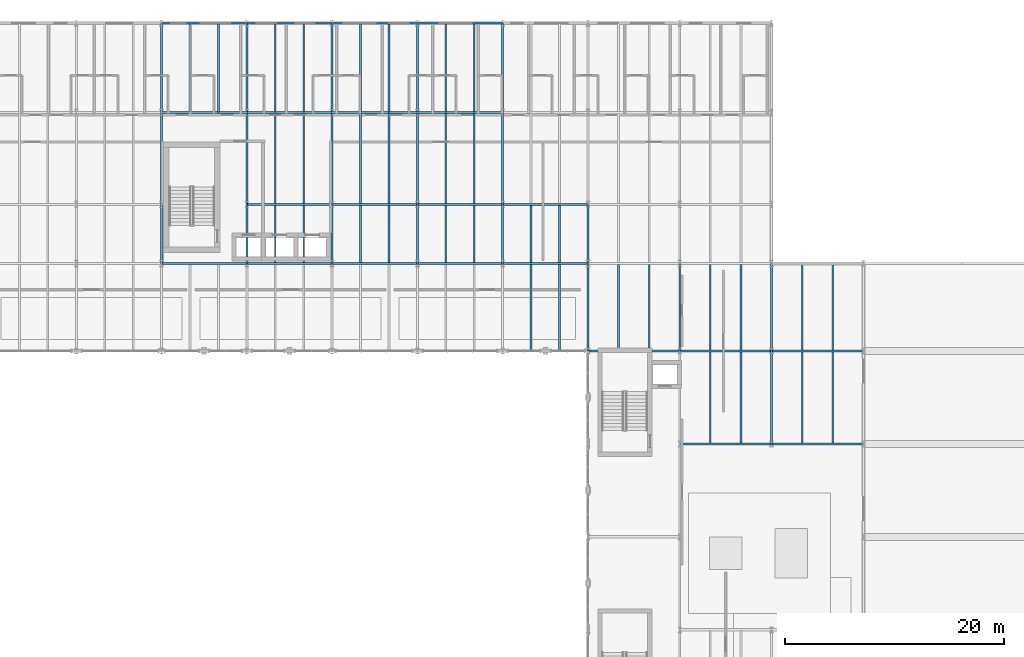
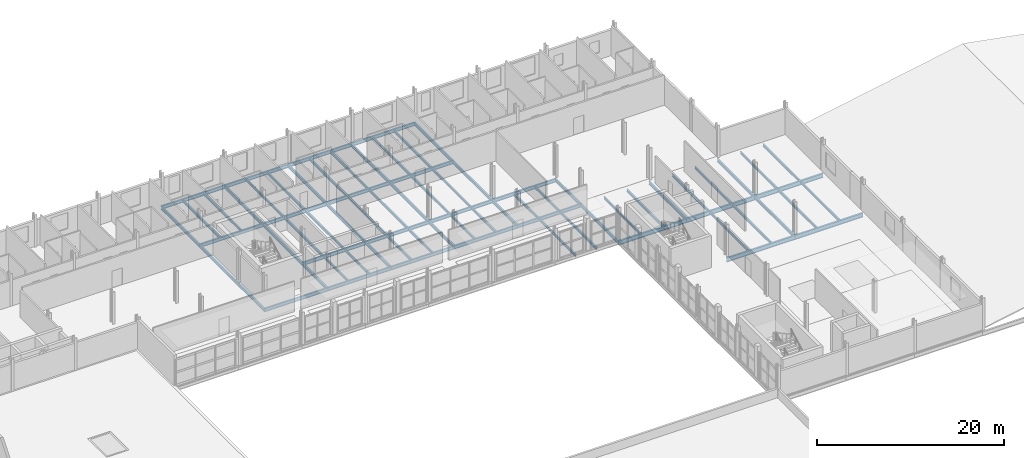
# One storey, part 27 of 58: 76 beams.
"""IFC4 building model written with IfcOpenShell, lengths in metres."""

from ifc_helpers import new_model, si_unit, direction, frame, origin, origin_2d, place, context, subcontext, project, spatial, i_section, extrude, material, material_profile, profile_set, type_object, element, save


model = new_model("IFC4")

# Units and contexts
model_context = context("Model", 3, precision=1e-05, world=origin(), true_north=direction((0.0, 1.0)))
body_context = subcontext(model_context, "Body", "Model", "MODEL_VIEW")
ifc_project = project(units=[si_unit("LENGTHUNIT", "METRE"), si_unit("AREAUNIT", "SQUARE_METRE"), si_unit("VOLUMEUNIT", "CUBIC_METRE"), si_unit("PLANEANGLEUNIT", "RADIAN"), si_unit("MASSUNIT", "GRAM", prefix="KILO")], contexts=[model_context])

# Site, building, storey
site_placement = place(None, origin())
site = spatial("IfcSite", under=ifc_project, at=site_placement, CompositionType="ELEMENT")
building_placement = place(site_placement, origin())
building = spatial("IfcBuilding", under=site, at=building_placement, Name="Sefraquen Railside Congress Hotel", CompositionType="ELEMENT")
storey_placement = place(building_placement, frame((0.0, 0.0, 16.199951171875)))
storey = spatial("IfcBuildingStorey", under=building, at=storey_placement, Name="L03", CompositionType="ELEMENT", Elevation=16.199951171875)

# Beams
ifc_material = material(Name="Steel S355JR", Category="steel")
ifc_material_profile_1 = material_profile(ifc_material, i_section(OverallWidth=0.179931640625, OverallDepth=0.39990234375, WebThickness=0.008544921875, FlangeThickness=0.013427734375, FilletRadius=0.02099609375, at=origin_2d()), Name="IPE 400")
ifc_profile_set_1 = profile_set([ifc_material_profile_1], Name="Steel S355JR")
beam_type_1 = type_object("IfcBeamType", Name="TB-BM-400I", PredefinedType="BEAM", material=ifc_profile_set_1)
beam_1_placement = place(storey_placement, frame((64.199951171875, 96.0, -0.47998046875), z_axis=(0.0, 1.0, 0.0), x_axis=(-1.0, 0.0, 0.0)))
element("IfcBeam", 1, at=beam_1_placement, inside=storey, type_object=beam_type_1, Name="Floor beam BM-L03-1191", PredefinedType="BEAM", context=body_context, shape_type="SweptSolid", body=[
    extrude(i_section(OverallWidth=0.179931640625, OverallDepth=0.39990234375, WebThickness=0.008544921875, FlangeThickness=0.013427734375, FilletRadius=0.02099609375, at=origin_2d()), origin(), (0.0, 0.0, 1.0), 5.39990234375),
])
beam_2_placement = place(storey_placement, frame((64.199951171875, 101.39990234375, -0.47998046875), z_axis=(0.0, 1.0, 0.0), x_axis=(-1.0, 0.0, 0.0)))
element("IfcBeam", 2, at=beam_2_placement, inside=storey, type_object=beam_type_1, Name="Floor beam BM-L03-1192", PredefinedType="BEAM", context=body_context, shape_type="SweptSolid", body=[
    extrude(i_section(OverallWidth=0.179931640625, OverallDepth=0.39990234375, WebThickness=0.008544921875, FlangeThickness=0.013427734375, FilletRadius=0.02099609375, at=origin_2d()), origin(), (0.0, 0.0, 1.0), 8.400146484375),
])
beam_3_placement = place(storey_placement, frame((64.199951171875, 109.800048828125, -0.47998046875), z_axis=(0.0, 1.0, 0.0), x_axis=(-1.0, 0.0, 0.0)))
element("IfcBeam", 3, at=beam_3_placement, inside=storey, type_object=beam_type_1, Name="Floor beam BM-L03-1193", PredefinedType="BEAM", context=body_context, shape_type="SweptSolid", body=[
    extrude(i_section(OverallWidth=0.179931640625, OverallDepth=0.39990234375, WebThickness=0.008544921875, FlangeThickness=0.013427734375, FilletRadius=0.02099609375, at=origin_2d()), origin(), (0.0, 0.0, 1.0), 8.199951171875),
])
beam_4_placement = place(storey_placement, frame((72.0, 96.0, -0.47998046875), z_axis=(0.0, 1.0, 0.0), x_axis=(-1.0, 0.0, 0.0)))
element("IfcBeam", 4, at=beam_4_placement, inside=storey, type_object=beam_type_1, Name="Floor beam BM-L03-1195", PredefinedType="BEAM", context=body_context, shape_type="SweptSolid", body=[
    extrude(i_section(OverallWidth=0.179931640625, OverallDepth=0.39990234375, WebThickness=0.008544921875, FlangeThickness=0.013427734375, FilletRadius=0.02099609375, at=origin_2d()), origin(), (0.0, 0.0, 1.0), 5.39990234375),
])
beam_5_placement = place(storey_placement, frame((72.0, 101.39990234375, -0.47998046875), z_axis=(0.0, 1.0, 0.0), x_axis=(-1.0, 0.0, 0.0)))
element("IfcBeam", 5, at=beam_5_placement, inside=storey, type_object=beam_type_1, Name="Floor beam BM-L03-1196", PredefinedType="BEAM", context=body_context, shape_type="SweptSolid", body=[
    extrude(i_section(OverallWidth=0.179931640625, OverallDepth=0.39990234375, WebThickness=0.008544921875, FlangeThickness=0.013427734375, FilletRadius=0.02099609375, at=origin_2d()), origin(), (0.0, 0.0, 1.0), 8.400146484375),
])
beam_6_placement = place(storey_placement, frame((72.0, 109.800048828125, -0.47998046875), z_axis=(0.0, 1.0, 0.0), x_axis=(-1.0, 0.0, 0.0)))
element("IfcBeam", 6, at=beam_6_placement, inside=storey, type_object=beam_type_1, Name="Floor beam BM-L03-1197", PredefinedType="BEAM", context=body_context, shape_type="SweptSolid", body=[
    extrude(i_section(OverallWidth=0.179931640625, OverallDepth=0.39990234375, WebThickness=0.008544921875, FlangeThickness=0.013427734375, FilletRadius=0.02099609375, at=origin_2d()), origin(), (0.0, 0.0, 1.0), 8.199951171875),
])
beam_7_placement = place(storey_placement, frame((79.800048828125, 96.0, -0.47998046875), z_axis=(0.0, 1.0, 0.0), x_axis=(-1.0, 0.0, 0.0)))
element("IfcBeam", 7, at=beam_7_placement, inside=storey, type_object=beam_type_1, Name="Floor beam BM-L03-1200", PredefinedType="BEAM", context=body_context, shape_type="SweptSolid", body=[
    extrude(i_section(OverallWidth=0.179931640625, OverallDepth=0.39990234375, WebThickness=0.008544921875, FlangeThickness=0.013427734375, FilletRadius=0.02099609375, at=origin_2d()), origin(), (0.0, 0.0, 1.0), 5.39990234375),
])
beam_8_placement = place(storey_placement, frame((79.800048828125, 101.39990234375, -0.47998046875), z_axis=(0.0, 1.0, 0.0), x_axis=(-1.0, 0.0, 0.0)))
element("IfcBeam", 8, at=beam_8_placement, inside=storey, type_object=beam_type_1, Name="Floor beam BM-L03-1201", PredefinedType="BEAM", context=body_context, shape_type="SweptSolid", body=[
    extrude(i_section(OverallWidth=0.179931640625, OverallDepth=0.39990234375, WebThickness=0.008544921875, FlangeThickness=0.013427734375, FilletRadius=0.02099609375, at=origin_2d()), origin(), (0.0, 0.0, 1.0), 8.400146484375),
])
beam_9_placement = place(storey_placement, frame((79.800048828125, 109.800048828125, -0.47998046875), z_axis=(0.0, 1.0, 0.0), x_axis=(-1.0, 0.0, 0.0)))
element("IfcBeam", 9, at=beam_9_placement, inside=storey, type_object=beam_type_1, Name="Floor beam BM-L03-1202", PredefinedType="BEAM", context=body_context, shape_type="SweptSolid", body=[
    extrude(i_section(OverallWidth=0.179931640625, OverallDepth=0.39990234375, WebThickness=0.008544921875, FlangeThickness=0.013427734375, FilletRadius=0.02099609375, at=origin_2d()), origin(), (0.0, 0.0, 1.0), 8.199951171875),
])
beam_10_placement = place(storey_placement, frame((87.60009765625, 96.0, -0.47998046875), z_axis=(0.0, 1.0, 0.0), x_axis=(-1.0, 0.0, 0.0)))
element("IfcBeam", 10, at=beam_10_placement, inside=storey, type_object=beam_type_1, Name="Floor beam BM-L03-1208", PredefinedType="BEAM", context=body_context, shape_type="SweptSolid", body=[
    extrude(i_section(OverallWidth=0.179931640625, OverallDepth=0.39990234375, WebThickness=0.008544921875, FlangeThickness=0.013427734375, FilletRadius=0.02099609375, at=origin_2d()), origin(), (0.0, 0.0, 1.0), 5.39990234375),
])
beam_11_placement = place(storey_placement, frame((87.60009765625, 101.39990234375, -0.47998046875), z_axis=(0.0, 1.0, 0.0), x_axis=(-1.0, 0.0, 0.0)))
element("IfcBeam", 11, at=beam_11_placement, inside=storey, type_object=beam_type_1, Name="Floor beam BM-L03-1209", PredefinedType="BEAM", context=body_context, shape_type="SweptSolid", body=[
    extrude(i_section(OverallWidth=0.179931640625, OverallDepth=0.39990234375, WebThickness=0.008544921875, FlangeThickness=0.013427734375, FilletRadius=0.02099609375, at=origin_2d()), origin(), (0.0, 0.0, 1.0), 8.400146484375),
])
beam_12_placement = place(storey_placement, frame((87.60009765625, 109.800048828125, -0.47998046875), z_axis=(0.0, 1.0, 0.0), x_axis=(-1.0, 0.0, 0.0)))
element("IfcBeam", 12, at=beam_12_placement, inside=storey, type_object=beam_type_1, Name="Floor beam BM-L03-1210", PredefinedType="BEAM", context=body_context, shape_type="SweptSolid", body=[
    extrude(i_section(OverallWidth=0.179931640625, OverallDepth=0.39990234375, WebThickness=0.008544921875, FlangeThickness=0.013427734375, FilletRadius=0.02099609375, at=origin_2d()), origin(), (0.0, 0.0, 1.0), 8.199951171875),
])
beam_13_placement = place(storey_placement, frame((95.39990234375, 96.0, -0.47998046875), z_axis=(0.0, 1.0, 0.0), x_axis=(-1.0, 0.0, 0.0)))
element("IfcBeam", 13, at=beam_13_placement, inside=storey, type_object=beam_type_1, Name="Floor beam BM-L03-1216", PredefinedType="BEAM", context=body_context, shape_type="SweptSolid", body=[
    extrude(i_section(OverallWidth=0.179931640625, OverallDepth=0.39990234375, WebThickness=0.008544921875, FlangeThickness=0.013427734375, FilletRadius=0.02099609375, at=origin_2d()), origin(), (0.0, 0.0, 1.0), 5.39990234375),
])
beam_14_placement = place(storey_placement, frame((95.39990234375, 101.39990234375, -0.47998046875), z_axis=(0.0, 1.0, 0.0), x_axis=(-1.0, 0.0, 0.0)))
element("IfcBeam", 14, at=beam_14_placement, inside=storey, type_object=beam_type_1, Name="Floor beam BM-L03-1217", PredefinedType="BEAM", context=body_context, shape_type="SweptSolid", body=[
    extrude(i_section(OverallWidth=0.179931640625, OverallDepth=0.39990234375, WebThickness=0.008544921875, FlangeThickness=0.013427734375, FilletRadius=0.02099609375, at=origin_2d()), origin(), (0.0, 0.0, 1.0), 8.400146484375),
])
beam_15_placement = place(storey_placement, frame((95.39990234375, 109.800048828125, -0.47998046875), z_axis=(0.0, 1.0, 0.0), x_axis=(-1.0, 0.0, 0.0)))
element("IfcBeam", 15, at=beam_15_placement, inside=storey, type_object=beam_type_1, Name="Floor beam BM-L03-1218", PredefinedType="BEAM", context=body_context, shape_type="SweptSolid", body=[
    extrude(i_section(OverallWidth=0.179931640625, OverallDepth=0.39990234375, WebThickness=0.008544921875, FlangeThickness=0.013427734375, FilletRadius=0.02099609375, at=origin_2d()), origin(), (0.0, 0.0, 1.0), 8.199951171875),
])
beam_16_placement = place(storey_placement, frame((103.199951171875, 88.0, -0.47998046875), z_axis=(0.0, 1.0, 0.0), x_axis=(-1.0, 0.0, 0.0)))
element("IfcBeam", 16, at=beam_16_placement, inside=storey, type_object=beam_type_1, Name="Floor beam BM-L03-1227", PredefinedType="BEAM", context=body_context, shape_type="SweptSolid", body=[
    extrude(i_section(OverallWidth=0.179931640625, OverallDepth=0.39990234375, WebThickness=0.008544921875, FlangeThickness=0.013427734375, FilletRadius=0.02099609375, at=origin_2d()), origin(), (0.0, 0.0, 1.0), 8.0),
])
beam_17_placement = place(storey_placement, frame((103.199951171875, 96.0, -0.47998046875), z_axis=(0.0, 1.0, 0.0), x_axis=(-1.0, 0.0, 0.0)))
element("IfcBeam", 17, at=beam_17_placement, inside=storey, type_object=beam_type_1, Name="Floor beam BM-L03-1228", PredefinedType="BEAM", context=body_context, shape_type="SweptSolid", body=[
    extrude(i_section(OverallWidth=0.179931640625, OverallDepth=0.39990234375, WebThickness=0.008544921875, FlangeThickness=0.013427734375, FilletRadius=0.02099609375, at=origin_2d()), origin(), (0.0, 0.0, 1.0), 5.39990234375),
])
beam_18_placement = place(storey_placement, frame((111.60009765625, 88.0, -0.47998046875), z_axis=(0.0, 1.0, 0.0), x_axis=(-1.0, 0.0, 0.0)))
element("IfcBeam", 18, at=beam_18_placement, inside=storey, type_object=beam_type_1, Name="Floor beam BM-L03-1235", PredefinedType="BEAM", context=body_context, shape_type="SweptSolid", body=[
    extrude(i_section(OverallWidth=0.179931640625, OverallDepth=0.39990234375, WebThickness=0.008544921875, FlangeThickness=0.013427734375, FilletRadius=0.02099609375, at=origin_2d()), origin(), (0.0, 0.0, 1.0), 8.0),
])
beam_19_placement = place(storey_placement, frame((120.0, 79.5, -0.47998046875), z_axis=(0.0, 1.0, 0.0), x_axis=(-1.0, 0.0, 0.0)))
element("IfcBeam", 19, at=beam_19_placement, inside=storey, type_object=beam_type_1, Name="Floor beam BM-L03-1240", PredefinedType="BEAM", context=body_context, shape_type="SweptSolid", body=[
    extrude(i_section(OverallWidth=0.179931640625, OverallDepth=0.39990234375, WebThickness=0.008544921875, FlangeThickness=0.013427734375, FilletRadius=0.02099609375, at=origin_2d()), origin(), (0.0, 0.0, 1.0), 8.5),
])
beam_20_placement = place(storey_placement, frame((120.0, 88.0, -0.47998046875), z_axis=(0.0, 1.0, 0.0), x_axis=(-1.0, 0.0, 0.0)))
element("IfcBeam", 20, at=beam_20_placement, inside=storey, type_object=beam_type_1, Name="Floor beam BM-L03-1241", PredefinedType="BEAM", context=body_context, shape_type="SweptSolid", body=[
    extrude(i_section(OverallWidth=0.179931640625, OverallDepth=0.39990234375, WebThickness=0.008544921875, FlangeThickness=0.013427734375, FilletRadius=0.02099609375, at=origin_2d()), origin(), (0.0, 0.0, 1.0), 8.0),
])
ifc_material_profile_2 = material_profile(ifc_material, i_section(OverallWidth=0.18994140625, OverallDepth=0.449951171875, WebThickness=0.009521484375, FlangeThickness=0.0146484375, FilletRadius=0.02099609375, at=origin_2d()), Name="IPE 450")
ifc_profile_set_2 = profile_set([ifc_material_profile_2], Name="Steel S355JR")
beam_type_2 = type_object("IfcBeamType", Name="TB-BM-450", PredefinedType="BEAM", material=ifc_profile_set_2)
for number, where, z_axis, x_axis, name in (
    (21, (64.199951171875, 96.0, -0.5048828125), (1.0, 0.0, 0.0), (0.0, 1.0, 0.0), "Primary girder BM-L03-1078"),
    (22, (72.0, 96.0, -0.5048828125), (1.0, 0.0, 0.0), (0.0, 1.0, 0.0), "Primary girder BM-L03-1079"),
    (23, (79.800048828125, 96.0, -0.5048828125), (1.0, 0.0, 0.0), (0.0, 1.0, 0.0), "Primary girder BM-L03-1080"),
):
    element("IfcBeam", number, at=place(storey_placement, frame(where, z_axis=z_axis, x_axis=x_axis)), inside=storey, type_object=beam_type_2, Name=name, PredefinedType="BEAM", context=body_context, shape_type="SweptSolid", body=[
        extrude(i_section(OverallWidth=0.18994140625, OverallDepth=0.449951171875, WebThickness=0.009521484375, FlangeThickness=0.0146484375, FilletRadius=0.02099609375, at=origin_2d()), origin(), (0.0, 0.0, 1.0), 7.800048828125),
    ])
beam_21_placement = place(storey_placement, frame((87.60009765625, 96.0, -0.5048828125), z_axis=(1.0, 0.0, 0.0), x_axis=(0.0, 1.0, 0.0)))
element("IfcBeam", 24, at=beam_21_placement, inside=storey, type_object=beam_type_2, Name="Primary girder BM-L03-1081", PredefinedType="BEAM", context=body_context, shape_type="SweptSolid", body=[
    extrude(i_section(OverallWidth=0.18994140625, OverallDepth=0.449951171875, WebThickness=0.009521484375, FlangeThickness=0.0146484375, FilletRadius=0.02099609375, at=origin_2d()), origin(), (0.0, 0.0, 1.0), 7.7998046875),
])
for number, where, z_axis, x_axis, name in (
    (25, (95.39990234375, 96.0, -0.5048828125), (1.0, 0.0, 0.0), (0.0, 1.0, 0.0), "Primary girder BM-L03-1082"),
    (26, (72.0, 101.39990234375, -0.5048828125), (1.0, 0.0, 0.0), (0.0, 1.0, 0.0), "Primary girder BM-L03-1097"),
    (27, (79.800048828125, 101.39990234375, -0.5048828125), (1.0, 0.0, 0.0), (0.0, 1.0, 0.0), "Primary girder BM-L03-1098"),
):
    element("IfcBeam", number, at=place(storey_placement, frame(where, z_axis=z_axis, x_axis=x_axis)), inside=storey, type_object=beam_type_2, Name=name, PredefinedType="BEAM", context=body_context, shape_type="SweptSolid", body=[
        extrude(i_section(OverallWidth=0.18994140625, OverallDepth=0.449951171875, WebThickness=0.009521484375, FlangeThickness=0.0146484375, FilletRadius=0.02099609375, at=origin_2d()), origin(), (0.0, 0.0, 1.0), 7.800048828125),
    ])
beam_22_placement = place(storey_placement, frame((87.60009765625, 101.39990234375, -0.5048828125), z_axis=(1.0, 0.0, 0.0), x_axis=(0.0, 1.0, 0.0)))
element("IfcBeam", 28, at=beam_22_placement, inside=storey, type_object=beam_type_2, Name="Primary girder BM-L03-1099", PredefinedType="BEAM", context=body_context, shape_type="SweptSolid", body=[
    extrude(i_section(OverallWidth=0.18994140625, OverallDepth=0.449951171875, WebThickness=0.009521484375, FlangeThickness=0.0146484375, FilletRadius=0.02099609375, at=origin_2d()), origin(), (0.0, 0.0, 1.0), 7.7998046875),
])
for number, where, z_axis, x_axis, name in (
    (29, (95.39990234375, 101.39990234375, -0.5048828125), (1.0, 0.0, 0.0), (0.0, 1.0, 0.0), "Primary girder BM-L03-1100"),
    (30, (64.199951171875, 109.800048828125, -0.5048828125), (1.0, 0.0, 0.0), (0.0, 1.0, 0.0), "Primary girder BM-L03-1110"),
    (31, (72.0, 109.800048828125, -0.5048828125), (1.0, 0.0, 0.0), (0.0, 1.0, 0.0), "Primary girder BM-L03-1111"),
    (32, (79.800048828125, 109.800048828125, -0.5048828125), (1.0, 0.0, 0.0), (0.0, 1.0, 0.0), "Primary girder BM-L03-1112"),
):
    element("IfcBeam", number, at=place(storey_placement, frame(where, z_axis=z_axis, x_axis=x_axis)), inside=storey, type_object=beam_type_2, Name=name, PredefinedType="BEAM", context=body_context, shape_type="SweptSolid", body=[
        extrude(i_section(OverallWidth=0.18994140625, OverallDepth=0.449951171875, WebThickness=0.009521484375, FlangeThickness=0.0146484375, FilletRadius=0.02099609375, at=origin_2d()), origin(), (0.0, 0.0, 1.0), 7.800048828125),
    ])
beam_23_placement = place(storey_placement, frame((87.60009765625, 109.800048828125, -0.5048828125), z_axis=(1.0, 0.0, 0.0), x_axis=(0.0, 1.0, 0.0)))
element("IfcBeam", 33, at=beam_23_placement, inside=storey, type_object=beam_type_2, Name="Primary girder BM-L03-1113", PredefinedType="BEAM", context=body_context, shape_type="SweptSolid", body=[
    extrude(i_section(OverallWidth=0.18994140625, OverallDepth=0.449951171875, WebThickness=0.009521484375, FlangeThickness=0.0146484375, FilletRadius=0.02099609375, at=origin_2d()), origin(), (0.0, 0.0, 1.0), 7.7998046875),
])
for number, where, z_axis, x_axis, name in (
    (34, (64.199951171875, 118.0, -0.5048828125), (1.0, 0.0, 0.0), (0.0, 1.0, 0.0), "Primary girder BM-L03-1122"),
    (35, (72.0, 118.0, -0.5048828125), (1.0, 0.0, 0.0), (0.0, 1.0, 0.0), "Primary girder BM-L03-1123"),
    (36, (79.800048828125, 118.0, -0.5048828125), (1.0, 0.0, 0.0), (0.0, 1.0, 0.0), "Primary girder BM-L03-1124"),
):
    element("IfcBeam", number, at=place(storey_placement, frame(where, z_axis=z_axis, x_axis=x_axis)), inside=storey, type_object=beam_type_2, Name=name, PredefinedType="BEAM", context=body_context, shape_type="SweptSolid", body=[
        extrude(i_section(OverallWidth=0.18994140625, OverallDepth=0.449951171875, WebThickness=0.009521484375, FlangeThickness=0.0146484375, FilletRadius=0.02099609375, at=origin_2d()), origin(), (0.0, 0.0, 1.0), 7.800048828125),
    ])
beam_24_placement = place(storey_placement, frame((87.60009765625, 118.0, -0.5048828125), z_axis=(1.0, 0.0, 0.0), x_axis=(0.0, 1.0, 0.0)))
element("IfcBeam", 37, at=beam_24_placement, inside=storey, type_object=beam_type_2, Name="Primary girder BM-L03-1125", PredefinedType="BEAM", context=body_context, shape_type="SweptSolid", body=[
    extrude(i_section(OverallWidth=0.18994140625, OverallDepth=0.449951171875, WebThickness=0.009521484375, FlangeThickness=0.0146484375, FilletRadius=0.02099609375, at=origin_2d()), origin(), (0.0, 0.0, 1.0), 7.7998046875),
])
ifc_material_profile_3 = material_profile(ifc_material, i_section(OverallWidth=0.2099609375, OverallDepth=0.550048828125, WebThickness=0.010986328125, FlangeThickness=0.01708984375, FilletRadius=0.02392578125, at=origin_2d()), Name="IPE 550")
ifc_profile_set_3 = profile_set([ifc_material_profile_3], Name="Steel S355JR")
beam_type_3 = type_object("IfcBeamType", Name="TB-GIR-550", PredefinedType="T_BEAM", material=ifc_profile_set_3)
for number, where, z_axis, x_axis, name in (
    (38, (111.60009765625, 79.5, -0.554931640625), (1.0, 0.0, 0.0), (0.0, 1.0, 0.0), "Primary girder BM-L03-1052"),
    (39, (120.0, 79.5, -0.554931640625), (1.0, 0.0, 0.0), (0.0, 1.0, 0.0), "Primary girder BM-L03-1053"),
):
    element("IfcBeam", number, at=place(storey_placement, frame(where, z_axis=z_axis, x_axis=x_axis)), inside=storey, type_object=beam_type_3, Name=name, PredefinedType="T_BEAM", context=body_context, shape_type="SweptSolid", body=[
        extrude(i_section(OverallWidth=0.2099609375, OverallDepth=0.550048828125, WebThickness=0.010986328125, FlangeThickness=0.01708984375, FilletRadius=0.02392578125, at=origin_2d()), origin(), (0.0, 0.0, 1.0), 8.39990234375),
    ])
beam_25_placement = place(storey_placement, frame((103.199951171875, 88.0, -0.554931640625), z_axis=(1.0, 0.0, 0.0), x_axis=(0.0, 1.0, 0.0)))
element("IfcBeam", 40, at=beam_25_placement, inside=storey, type_object=beam_type_3, Name="Primary girder BM-L03-1067", PredefinedType="T_BEAM", context=body_context, shape_type="SweptSolid", body=[
    extrude(i_section(OverallWidth=0.2099609375, OverallDepth=0.550048828125, WebThickness=0.010986328125, FlangeThickness=0.01708984375, FilletRadius=0.02392578125, at=origin_2d()), origin(), (0.0, 0.0, 1.0), 8.400146484375),
])
for number, where, z_axis, x_axis, name in (
    (41, (111.60009765625, 88.0, -0.554931640625), (1.0, 0.0, 0.0), (0.0, 1.0, 0.0), "Primary girder BM-L03-1068"),
    (42, (120.0, 88.0, -0.554931640625), (1.0, 0.0, 0.0), (0.0, 1.0, 0.0), "Primary girder BM-L03-1069"),
):
    element("IfcBeam", number, at=place(storey_placement, frame(where, z_axis=z_axis, x_axis=x_axis)), inside=storey, type_object=beam_type_3, Name=name, PredefinedType="T_BEAM", context=body_context, shape_type="SweptSolid", body=[
        extrude(i_section(OverallWidth=0.2099609375, OverallDepth=0.550048828125, WebThickness=0.010986328125, FlangeThickness=0.01708984375, FilletRadius=0.02392578125, at=origin_2d()), origin(), (0.0, 0.0, 1.0), 8.39990234375),
    ])
ifc_material_profile_4 = material_profile(ifc_material, i_section(OverallWidth=0.159912109375, OverallDepth=0.330078125, WebThickness=0.007568359375, FlangeThickness=0.011474609375, FilletRadius=0.01806640625, at=origin_2d()), Name="IPE 330")
ifc_profile_set_4 = profile_set([ifc_material_profile_4], Name="Steel S355JR")
beam_type_4 = type_object("IfcBeamType", Name="TB-JST-330", PredefinedType="JOIST", material=ifc_profile_set_4)
for number, where, z_axis, x_axis, name in (
    (43, (66.800048828125, 109.875, -0.445068359375), (0.0, 1.0, 0.0), (-1.0, 0.0, 0.0), "Composite floor joist BM-L03-J0748"),
    (44, (69.39990234375, 109.875, -0.445068359375), (0.0, 1.0, 0.0), (-1.0, 0.0, 0.0), "Composite floor joist BM-L03-J0749"),
):
    element("IfcBeam", number, at=place(storey_placement, frame(where, z_axis=z_axis, x_axis=x_axis)), inside=storey, type_object=beam_type_4, Name=name, PredefinedType="JOIST", context=body_context, shape_type="SweptSolid", body=[
        extrude(i_section(OverallWidth=0.159912109375, OverallDepth=0.330078125, WebThickness=0.007568359375, FlangeThickness=0.011474609375, FilletRadius=0.01806640625, at=origin_2d()), origin(), (0.0, 0.0, 1.0), 8.050048828125),
    ])
for number, where, z_axis, x_axis, name in (
    (45, (74.60009765625, 96.074951171875, -0.445068359375), (0.0, 1.0, 0.0), (-1.0, 0.0, 0.0), "Composite floor joist BM-L03-J0752"),
    (46, (77.199951171875, 96.074951171875, -0.445068359375), (0.0, 1.0, 0.0), (-1.0, 0.0, 0.0), "Composite floor joist BM-L03-J0753"),
):
    element("IfcBeam", number, at=place(storey_placement, frame(where, z_axis=z_axis, x_axis=x_axis)), inside=storey, type_object=beam_type_4, Name=name, PredefinedType="JOIST", context=body_context, shape_type="SweptSolid", body=[
        extrude(i_section(OverallWidth=0.159912109375, OverallDepth=0.330078125, WebThickness=0.007568359375, FlangeThickness=0.011474609375, FilletRadius=0.01806640625, at=origin_2d()), origin(), (0.0, 0.0, 1.0), 5.25),
    ])
for number, where, z_axis, x_axis, name in (
    (47, (74.60009765625, 101.47509765625, -0.445068359375), (0.0, 1.0, 0.0), (-1.0, 0.0, 0.0), "Composite floor joist BM-L03-J0754"),
    (48, (77.199951171875, 101.47509765625, -0.445068359375), (0.0, 1.0, 0.0), (-1.0, 0.0, 0.0), "Composite floor joist BM-L03-J0755"),
):
    element("IfcBeam", number, at=place(storey_placement, frame(where, z_axis=z_axis, x_axis=x_axis)), inside=storey, type_object=beam_type_4, Name=name, PredefinedType="JOIST", context=body_context, shape_type="SweptSolid", body=[
        extrude(i_section(OverallWidth=0.159912109375, OverallDepth=0.330078125, WebThickness=0.007568359375, FlangeThickness=0.011474609375, FilletRadius=0.01806640625, at=origin_2d()), origin(), (0.0, 0.0, 1.0), 8.25),
    ])
for number, where, z_axis, x_axis, name in (
    (49, (74.60009765625, 109.875, -0.445068359375), (0.0, 1.0, 0.0), (-1.0, 0.0, 0.0), "Composite floor joist BM-L03-J0756"),
    (50, (77.199951171875, 109.875, -0.445068359375), (0.0, 1.0, 0.0), (-1.0, 0.0, 0.0), "Composite floor joist BM-L03-J0757"),
):
    element("IfcBeam", number, at=place(storey_placement, frame(where, z_axis=z_axis, x_axis=x_axis)), inside=storey, type_object=beam_type_4, Name=name, PredefinedType="JOIST", context=body_context, shape_type="SweptSolid", body=[
        extrude(i_section(OverallWidth=0.159912109375, OverallDepth=0.330078125, WebThickness=0.007568359375, FlangeThickness=0.011474609375, FilletRadius=0.01806640625, at=origin_2d()), origin(), (0.0, 0.0, 1.0), 8.050048828125),
    ])
for number, where, z_axis, x_axis, name in (
    (51, (82.39990234375, 96.074951171875, -0.445068359375), (0.0, 1.0, 0.0), (-1.0, 0.0, 0.0), "Composite floor joist BM-L03-J0762"),
    (52, (85.0, 96.074951171875, -0.445068359375), (0.0, 1.0, 0.0), (-1.0, 0.0, 0.0), "Composite floor joist BM-L03-J0763"),
):
    element("IfcBeam", number, at=place(storey_placement, frame(where, z_axis=z_axis, x_axis=x_axis)), inside=storey, type_object=beam_type_4, Name=name, PredefinedType="JOIST", context=body_context, shape_type="SweptSolid", body=[
        extrude(i_section(OverallWidth=0.159912109375, OverallDepth=0.330078125, WebThickness=0.007568359375, FlangeThickness=0.011474609375, FilletRadius=0.01806640625, at=origin_2d()), origin(), (0.0, 0.0, 1.0), 5.25),
    ])
for number, where, z_axis, x_axis, name in (
    (53, (82.39990234375, 101.47509765625, -0.445068359375), (0.0, 1.0, 0.0), (-1.0, 0.0, 0.0), "Composite floor joist BM-L03-J0764"),
    (54, (85.0, 101.47509765625, -0.445068359375), (0.0, 1.0, 0.0), (-1.0, 0.0, 0.0), "Composite floor joist BM-L03-J0765"),
):
    element("IfcBeam", number, at=place(storey_placement, frame(where, z_axis=z_axis, x_axis=x_axis)), inside=storey, type_object=beam_type_4, Name=name, PredefinedType="JOIST", context=body_context, shape_type="SweptSolid", body=[
        extrude(i_section(OverallWidth=0.159912109375, OverallDepth=0.330078125, WebThickness=0.007568359375, FlangeThickness=0.011474609375, FilletRadius=0.01806640625, at=origin_2d()), origin(), (0.0, 0.0, 1.0), 8.25),
    ])
for number, where, z_axis, x_axis, name in (
    (55, (82.39990234375, 109.875, -0.445068359375), (0.0, 1.0, 0.0), (-1.0, 0.0, 0.0), "Composite floor joist BM-L03-J0766"),
    (56, (85.0, 109.875, -0.445068359375), (0.0, 1.0, 0.0), (-1.0, 0.0, 0.0), "Composite floor joist BM-L03-J0767"),
):
    element("IfcBeam", number, at=place(storey_placement, frame(where, z_axis=z_axis, x_axis=x_axis)), inside=storey, type_object=beam_type_4, Name=name, PredefinedType="JOIST", context=body_context, shape_type="SweptSolid", body=[
        extrude(i_section(OverallWidth=0.159912109375, OverallDepth=0.330078125, WebThickness=0.007568359375, FlangeThickness=0.011474609375, FilletRadius=0.01806640625, at=origin_2d()), origin(), (0.0, 0.0, 1.0), 8.050048828125),
    ])
for number, where, z_axis, x_axis, name in (
    (57, (90.199951171875, 96.074951171875, -0.445068359375), (0.0, 1.0, 0.0), (-1.0, 0.0, 0.0), "Composite floor joist BM-L03-J0778"),
    (58, (92.800048828125, 96.074951171875, -0.445068359375), (0.0, 1.0, 0.0), (-1.0, 0.0, 0.0), "Composite floor joist BM-L03-J0779"),
):
    element("IfcBeam", number, at=place(storey_placement, frame(where, z_axis=z_axis, x_axis=x_axis)), inside=storey, type_object=beam_type_4, Name=name, PredefinedType="JOIST", context=body_context, shape_type="SweptSolid", body=[
        extrude(i_section(OverallWidth=0.159912109375, OverallDepth=0.330078125, WebThickness=0.007568359375, FlangeThickness=0.011474609375, FilletRadius=0.01806640625, at=origin_2d()), origin(), (0.0, 0.0, 1.0), 5.25),
    ])
for number, where, z_axis, x_axis, name in (
    (59, (90.199951171875, 101.47509765625, -0.445068359375), (0.0, 1.0, 0.0), (-1.0, 0.0, 0.0), "Composite floor joist BM-L03-J0780"),
    (60, (92.800048828125, 101.47509765625, -0.445068359375), (0.0, 1.0, 0.0), (-1.0, 0.0, 0.0), "Composite floor joist BM-L03-J0781"),
):
    element("IfcBeam", number, at=place(storey_placement, frame(where, z_axis=z_axis, x_axis=x_axis)), inside=storey, type_object=beam_type_4, Name=name, PredefinedType="JOIST", context=body_context, shape_type="SweptSolid", body=[
        extrude(i_section(OverallWidth=0.159912109375, OverallDepth=0.330078125, WebThickness=0.007568359375, FlangeThickness=0.011474609375, FilletRadius=0.01806640625, at=origin_2d()), origin(), (0.0, 0.0, 1.0), 8.25),
    ])
for number, where, z_axis, x_axis, name in (
    (61, (90.199951171875, 109.875, -0.445068359375), (0.0, 1.0, 0.0), (-1.0, 0.0, 0.0), "Composite floor joist BM-L03-J0782"),
    (62, (92.800048828125, 109.875, -0.445068359375), (0.0, 1.0, 0.0), (-1.0, 0.0, 0.0), "Composite floor joist BM-L03-J0783"),
):
    element("IfcBeam", number, at=place(storey_placement, frame(where, z_axis=z_axis, x_axis=x_axis)), inside=storey, type_object=beam_type_4, Name=name, PredefinedType="JOIST", context=body_context, shape_type="SweptSolid", body=[
        extrude(i_section(OverallWidth=0.159912109375, OverallDepth=0.330078125, WebThickness=0.007568359375, FlangeThickness=0.011474609375, FilletRadius=0.01806640625, at=origin_2d()), origin(), (0.0, 0.0, 1.0), 8.050048828125),
    ])
for number, where, z_axis, x_axis, name in (
    (63, (98.0, 88.074951171875, -0.445068359375), (0.0, 1.0, 0.0), (-1.0, 0.0, 0.0), "Composite floor joist BM-L03-J0786"),
    (64, (100.60009765625, 88.074951171875, -0.445068359375), (0.0, 1.0, 0.0), (-1.0, 0.0, 0.0), "Composite floor joist BM-L03-J0787"),
):
    element("IfcBeam", number, at=place(storey_placement, frame(where, z_axis=z_axis, x_axis=x_axis)), inside=storey, type_object=beam_type_4, Name=name, PredefinedType="JOIST", context=body_context, shape_type="SweptSolid", body=[
        extrude(i_section(OverallWidth=0.159912109375, OverallDepth=0.330078125, WebThickness=0.007568359375, FlangeThickness=0.011474609375, FilletRadius=0.01806640625, at=origin_2d()), origin(), (0.0, 0.0, 1.0), 7.85009765625),
    ])
for number, where, z_axis, x_axis, name in (
    (65, (98.0, 96.074951171875, -0.445068359375), (0.0, 1.0, 0.0), (-1.0, 0.0, 0.0), "Composite floor joist BM-L03-J0788"),
    (66, (100.60009765625, 96.074951171875, -0.445068359375), (0.0, 1.0, 0.0), (-1.0, 0.0, 0.0), "Composite floor joist BM-L03-J0789"),
):
    element("IfcBeam", number, at=place(storey_placement, frame(where, z_axis=z_axis, x_axis=x_axis)), inside=storey, type_object=beam_type_4, Name=name, PredefinedType="JOIST", context=body_context, shape_type="SweptSolid", body=[
        extrude(i_section(OverallWidth=0.159912109375, OverallDepth=0.330078125, WebThickness=0.007568359375, FlangeThickness=0.011474609375, FilletRadius=0.01806640625, at=origin_2d()), origin(), (0.0, 0.0, 1.0), 5.25),
    ])
for number, where, z_axis, x_axis, name in (
    (67, (106.0, 88.0849609375, -0.445068359375), (0.0, 1.0, 0.0), (-1.0, 0.0, 0.0), "Composite floor joist BM-L03-J0794"),
    (68, (108.800048828125, 88.0849609375, -0.445068359375), (0.0, 1.0, 0.0), (-1.0, 0.0, 0.0), "Composite floor joist BM-L03-J0795"),
):
    element("IfcBeam", number, at=place(storey_placement, frame(where, z_axis=z_axis, x_axis=x_axis)), inside=storey, type_object=beam_type_4, Name=name, PredefinedType="JOIST", context=body_context, shape_type="SweptSolid", body=[
        extrude(i_section(OverallWidth=0.159912109375, OverallDepth=0.330078125, WebThickness=0.007568359375, FlangeThickness=0.011474609375, FilletRadius=0.01806640625, at=origin_2d()), origin(), (0.0, 0.0, 1.0), 7.830078125),
    ])
for number, where, z_axis, x_axis, name in (
    (69, (114.39990234375, 79.5849609375, -0.445068359375), (0.0, 1.0, 0.0), (-1.0, 0.0, 0.0), "Composite floor joist BM-L03-J0804"),
    (70, (117.199951171875, 79.5849609375, -0.445068359375), (0.0, 1.0, 0.0), (-1.0, 0.0, 0.0), "Composite floor joist BM-L03-J0805"),
):
    element("IfcBeam", number, at=place(storey_placement, frame(where, z_axis=z_axis, x_axis=x_axis)), inside=storey, type_object=beam_type_4, Name=name, PredefinedType="JOIST", context=body_context, shape_type="SweptSolid", body=[
        extrude(i_section(OverallWidth=0.159912109375, OverallDepth=0.330078125, WebThickness=0.007568359375, FlangeThickness=0.011474609375, FilletRadius=0.01806640625, at=origin_2d()), origin(), (0.0, 0.0, 1.0), 8.330078125),
    ])
for number, where, z_axis, x_axis, name in (
    (71, (114.39990234375, 88.0849609375, -0.445068359375), (0.0, 1.0, 0.0), (-1.0, 0.0, 0.0), "Composite floor joist BM-L03-J0806"),
    (72, (117.199951171875, 88.0849609375, -0.445068359375), (0.0, 1.0, 0.0), (-1.0, 0.0, 0.0), "Composite floor joist BM-L03-J0807"),
):
    element("IfcBeam", number, at=place(storey_placement, frame(where, z_axis=z_axis, x_axis=x_axis)), inside=storey, type_object=beam_type_4, Name=name, PredefinedType="JOIST", context=body_context, shape_type="SweptSolid", body=[
        extrude(i_section(OverallWidth=0.159912109375, OverallDepth=0.330078125, WebThickness=0.007568359375, FlangeThickness=0.011474609375, FilletRadius=0.01806640625, at=origin_2d()), origin(), (0.0, 0.0, 1.0), 7.830078125),
    ])
for number, where, z_axis, x_axis, name in (
    (73, (122.800048828125, 79.5849609375, -0.445068359375), (0.0, 1.0, 0.0), (-1.0, 0.0, 0.0), "Composite floor joist BM-L03-J0816"),
    (74, (125.60009765625, 79.5849609375, -0.445068359375), (0.0, 1.0, 0.0), (-1.0, 0.0, 0.0), "Composite floor joist BM-L03-J0817"),
):
    element("IfcBeam", number, at=place(storey_placement, frame(where, z_axis=z_axis, x_axis=x_axis)), inside=storey, type_object=beam_type_4, Name=name, PredefinedType="JOIST", context=body_context, shape_type="SweptSolid", body=[
        extrude(i_section(OverallWidth=0.159912109375, OverallDepth=0.330078125, WebThickness=0.007568359375, FlangeThickness=0.011474609375, FilletRadius=0.01806640625, at=origin_2d()), origin(), (0.0, 0.0, 1.0), 8.330078125),
    ])
for number, where, z_axis, x_axis, name in (
    (75, (122.800048828125, 88.0849609375, -0.445068359375), (0.0, 1.0, 0.0), (-1.0, 0.0, 0.0), "Composite floor joist BM-L03-J0818"),
    (76, (125.60009765625, 88.0849609375, -0.445068359375), (0.0, 1.0, 0.0), (-1.0, 0.0, 0.0), "Composite floor joist BM-L03-J0819"),
):
    element("IfcBeam", number, at=place(storey_placement, frame(where, z_axis=z_axis, x_axis=x_axis)), inside=storey, type_object=beam_type_4, Name=name, PredefinedType="JOIST", context=body_context, shape_type="SweptSolid", body=[
        extrude(i_section(OverallWidth=0.159912109375, OverallDepth=0.330078125, WebThickness=0.007568359375, FlangeThickness=0.011474609375, FilletRadius=0.01806640625, at=origin_2d()), origin(), (0.0, 0.0, 1.0), 7.830078125),
    ])

save(model, "model.ifc")
